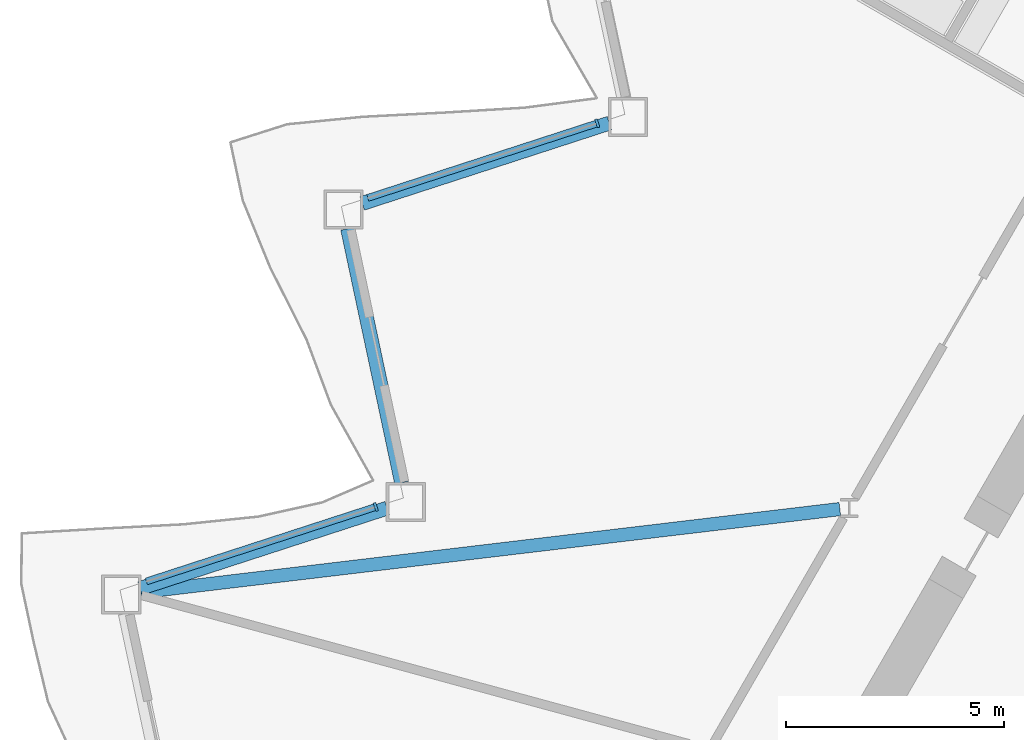
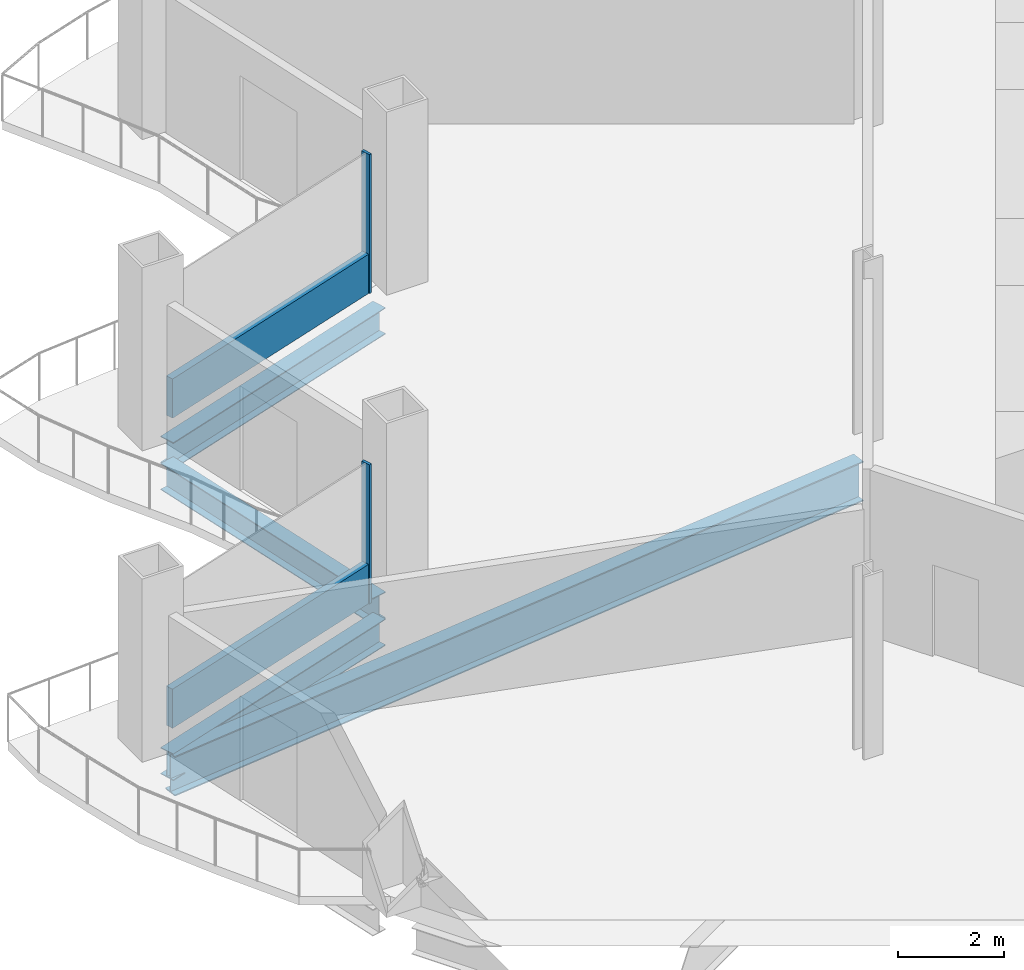
# One storey, part 4 of 21: 4 beams, 4 members, 2 elements without a shape of their own.
"""IFC4 building model written with IfcOpenShell, lengths in metres."""

import ifcopenshell
import ifcopenshell.guid

model = None  # the IFC model being written
_history = None  # IfcOwnerHistory: only IFC2X3 demands one
_inside = {}  # id of a spatial element -> (the spatial element, [elements in it])
_under = {}  # id of a project, library or spatial element -> (it, [spatial elements below it])
_declared = {}  # id of a project -> (the project, [libraries it declares])
_typed = {}  # id of a type object -> (the type object, [elements of that type])
_made_of = {}  # id of a material, layer set ... -> (it, [elements and type objects made of it])


def new_model(schema):
    """Start an empty IFC model of exactly this schema.

    Asked for "IFC4X3", IfcOpenShell would pick the latest addendum, in which some entities
    have other attributes; the version numbers below select the first issue.
    IFC2X3 requires an IfcOwnerHistory on every rooted entity: one is made here for all.
    """
    global model, _history
    if schema == "IFC4X3":
        model = ifcopenshell.file(schema_version=(4, 3, 0, 0))
    else:
        model = ifcopenshell.file(schema=schema)
    _inside.clear()
    _under.clear()
    _declared.clear()
    _typed.clear()
    _made_of.clear()
    _history = None
    if model.schema == "IFC2X3":
        org = make("IfcOrganization", Name="unknown")
        user = make(
            "IfcPersonAndOrganization",
            ThePerson=make("IfcPerson", FamilyName="unknown"),
            TheOrganization=org,
        )
        app = make(
            "IfcApplication",
            ApplicationDeveloper=org,
            Version="unknown",
            ApplicationFullName="unknown",
            ApplicationIdentifier="unknown",
        )
        _history = make(
            "IfcOwnerHistory",
            OwningUser=user,
            OwningApplication=app,
            ChangeAction="ADDED",
            CreationDate=0,
        )
    return model


def make(cls, **values):
    """One entity of the class cls with the attributes given. An attribute that is None is left unset."""
    return model.create_entity(
        cls, **{name: value for name, value in values.items() if value is not None}
    )


def rooted(cls, **values):
    """An entity with a GlobalId (a new one), such as an element, a storey or a relation."""
    return make(cls, GlobalId=ifcopenshell.guid.new(), OwnerHistory=_history, **values)


def si_unit(unit_type, name, prefix=None):
    """IfcSIUnit, for example si_unit("LENGTHUNIT", "METRE", prefix="MILLI")."""
    return make("IfcSIUnit", UnitType=unit_type, Prefix=prefix, Name=name)


def assignment(units):
    """IfcUnitAssignment: the units of a project."""
    return None if units is None else make("IfcUnitAssignment", Units=units)


def point(xyz):
    """IfcCartesianPoint."""
    return None if xyz is None else make("IfcCartesianPoint", Coordinates=xyz)


def direction(xyz):
    """IfcDirection."""
    return None if xyz is None else make("IfcDirection", DirectionRatios=xyz)


def frame(location, z_axis=None, x_axis=None):
    """IfcAxis2Placement3D, a coordinate frame: its origin and axes. An axis left out is left unset."""
    return make(
        "IfcAxis2Placement3D",
        Location=point(location),
        Axis=direction(z_axis),
        RefDirection=direction(x_axis),
    )


def frame_2d(location, x_axis=None):
    """IfcAxis2Placement2D, a coordinate frame in the plane: its origin and x axis."""
    return make(
        "IfcAxis2Placement2D", Location=point(location), RefDirection=direction(x_axis)
    )


def origin():
    """The frame at (0, 0, 0) with its axes left unset."""
    return frame((0.0, 0.0, 0.0))


def origin_2d():
    """The frame at (0, 0) in the plane with its x axis left unset."""
    return frame_2d((0.0, 0.0))


def place(relative_to, where):
    """IfcLocalPlacement: puts the frame where relative to a parent placement (None: the world)."""
    return make(
        "IfcLocalPlacement", PlacementRelTo=relative_to, RelativePlacement=where
    )


def context(
    kind, dimensions, precision=None, world=None, true_north=None, identifier=None
):
    """IfcGeometricRepresentationContext, for example the 3D "Model" context."""
    return make(
        "IfcGeometricRepresentationContext",
        ContextIdentifier=identifier,
        ContextType=kind,
        CoordinateSpaceDimension=dimensions,
        Precision=precision,
        WorldCoordinateSystem=world,
        TrueNorth=true_north,
    )


def subcontext(parent, identifier, kind, view, scale=None):
    """IfcGeometricRepresentationSubContext, for example "Body" below "Model"."""
    return make(
        "IfcGeometricRepresentationSubContext",
        ContextIdentifier=identifier,
        ContextType=kind,
        ParentContext=parent,
        TargetScale=scale,
        TargetView=view,
    )


def project(units=None, contexts=None):
    """IfcProject with its units and contexts."""
    return rooted(
        "IfcProject",
        Name="project",
        RepresentationContexts=contexts,
        UnitsInContext=assignment(units),
    )


def spatial(cls, under=None, at=None, **own):
    """A site, building, storey or space (cls), placed at a placement, below another one or the project."""
    s = rooted(cls, ObjectPlacement=at, **own)
    if under is not None:
        _under.setdefault(under.id(), (under, []))[1].append(s)
    return s


def profile(cls, at=None, kind="AREA", **sizes):
    """A parametric profile (cls). Its sizes go by their IFC names, for example OverallWidth=200.0."""
    return make(cls, ProfileType=kind, Position=at, **sizes)


def rectangle(**sizes):
    """IfcRectangleProfileDef."""
    return profile("IfcRectangleProfileDef", **sizes)


def i_section(**sizes):
    """IfcIShapeProfileDef."""
    return profile("IfcIShapeProfileDef", **sizes)


def extrude(swept, where, along, depth):
    """IfcExtrudedAreaSolid: the profile swept, set in the frame where, extruded along a direction by depth."""
    return make(
        "IfcExtrudedAreaSolid",
        SweptArea=swept,
        Position=where,
        ExtrudedDirection=direction(along),
        Depth=depth,
    )


def shape(context_of_items, identifier, shape_type, items):
    """IfcShapeRepresentation: the items that make up one representation, for example the "Body"."""
    return make(
        "IfcShapeRepresentation",
        ContextOfItems=context_of_items,
        RepresentationIdentifier=identifier,
        RepresentationType=shape_type,
        Items=items,
    )


def material(Name=None, Category=None):
    """IfcMaterial."""
    return make("IfcMaterial", Name=Name, Category=Category)


def layer(
    of_material, thickness, ventilated=None, Name=None, Category=None, Priority=None
):
    """IfcMaterialLayer: one layer of a wall or slab, of a material (None: an air gap)."""
    return make(
        "IfcMaterialLayer",
        Material=of_material,
        LayerThickness=thickness,
        IsVentilated=ventilated,
        Name=Name,
        Category=Category,
        Priority=Priority,
    )


def layer_set(layers, Name=None):
    """IfcMaterialLayerSet."""
    return make("IfcMaterialLayerSet", MaterialLayers=layers, LayerSetName=Name)


def material_profile(
    of_material, cross_section, Name=None, Category=None, Priority=None
):
    """IfcMaterialProfile: a cross section and its material."""
    return make(
        "IfcMaterialProfile",
        Name=Name,
        Material=of_material,
        Profile=cross_section,
        Priority=Priority,
        Category=Category,
    )


def profile_set(profiles, Name=None, composite=None):
    """IfcMaterialProfileSet."""
    return make(
        "IfcMaterialProfileSet",
        Name=Name,
        MaterialProfiles=profiles,
        CompositeProfile=composite,
    )


def made_of(thing, what):
    """Note that an element or type object is made of a material, layer set ...; save() writes the relation."""
    if what is not None:
        _made_of.setdefault(what.id(), (what, []))[1].append(thing)
    return thing


def type_object(cls, material=None, **own):
    """A type object (cls), such as IfcWallType, which elements share."""
    return made_of(rooted(cls, **own), material)


def element(
    cls,
    number,
    at=None,
    inside=None,
    cuts=None,
    type_object=None,
    material=None,
    context=None,
    identifier="Body",
    shape_type=None,
    held_by="IfcProductDefinitionShape",
    body=None,
    shapes=None,
    **own,
):
    """One element of the class cls, such as IfcWall. Its Tag is "e" and its number.

    at: its placement. inside: the storey or other place that contains it. cuts: it is an
    opening in that element (IfcRelVoidsElement). A single representation is given by context,
    identifier, shape_type and body (its items); several are given by shapes. held_by: the class
    of the entity that holds the representations. save() writes the other relations.
    """
    e = rooted(cls, Tag="e%d" % number, ObjectPlacement=at, **own)
    if body is not None:
        shapes = [shape(context, identifier, shape_type, body)]
    if shapes is not None:
        e.Representation = make(held_by, Representations=shapes)
    if inside is not None:
        _inside.setdefault(inside.id(), (inside, []))[1].append(e)
    if cuts is not None:
        rooted(
            "IfcRelVoidsElement", RelatingBuildingElement=cuts, RelatedOpeningElement=e
        )
    if type_object is not None:
        _typed.setdefault(type_object.id(), (type_object, []))[1].append(e)
    return made_of(e, material)


def aggregate(whole, parts):
    """IfcRelAggregates: a whole, such as a stair, and the parts it consists of."""
    return rooted("IfcRelAggregates", RelatingObject=whole, RelatedObjects=parts)


def save(model, path):
    """Write the relations noted so far, then the file.

    IfcRelAggregates (storeys below a building ...), IfcRelContainedInSpatialStructure (elements
    in a storey), IfcRelDefinesByType, IfcRelAssociatesMaterial and IfcRelDeclares: one each for
    every whole, place, type object, material and project.
    """
    for whole, parts in _under.values():
        aggregate(whole, parts)
    for where, things in _inside.values():
        rooted(
            "IfcRelContainedInSpatialStructure",
            RelatedElements=things,
            RelatingStructure=where,
        )
    for kind, things in _typed.values():
        rooted("IfcRelDefinesByType", RelatedObjects=things, RelatingType=kind)
    for what, things in _made_of.values():
        rooted("IfcRelAssociatesMaterial", RelatedObjects=things, RelatingMaterial=what)
    for by, libraries in _declared.values():
        rooted("IfcRelDeclares", RelatingContext=by, RelatedDefinitions=libraries)
    model.write(path)


model = new_model("IFC4")

# Units and contexts
model_context = context("Model", 3, precision=1e-05, world=origin(), true_north=direction((0.0, 1.0)))
body_context = subcontext(model_context, "Body", "Model", "MODEL_VIEW")
ifc_project = project(units=[si_unit("LENGTHUNIT", "METRE"), si_unit("AREAUNIT", "SQUARE_METRE"), si_unit("VOLUMEUNIT", "CUBIC_METRE"), si_unit("PLANEANGLEUNIT", "RADIAN"), si_unit("MASSUNIT", "GRAM", prefix="KILO")], contexts=[model_context])

# Site, building, storey
site_placement = place(None, origin())
site = spatial("IfcSite", under=ifc_project, at=site_placement, CompositionType="ELEMENT")
building_placement = place(site_placement, origin())
building = spatial("IfcBuilding", under=site, at=building_placement, Name="Cormorant Prow Tower", CompositionType="ELEMENT")
storey_placement = place(building_placement, frame((0.0, 0.0, 145.800048828125)))
storey = spatial("IfcBuildingStorey", under=building, at=storey_placement, Name="L31", CompositionType="ELEMENT", Elevation=145.800048828125)

# Curtain wall, member
ifc_material_1 = material(Name="Aluminium 6063-T6", Category="aluminium")
ifc_layer = layer(ifc_material_1, 0.199951171875)
ifc_layer_set = layer_set([ifc_layer], Name="Aluminium 6063-T6")
curtain_wall_type = type_object("IfcCurtainWallType", Name="Office unitised curtain wall 200", PredefinedType="NOTDEFINED", material=ifc_layer_set)
curtain_wall_1_placement = place(storey_placement, origin())
curtain_wall_1 = element("IfcCurtainWall", 1, at=curtain_wall_1_placement, inside=storey, type_object=curtain_wall_type, Name="Office curtain wall WNW06", PredefinedType="NOTDEFINED")
ifc_material_2 = material(Name="Aluminium 6063-T6", Category="aluminium")
ifc_material_profile_1 = material_profile(ifc_material_2, rectangle(XDim=0.199951171875, YDim=0.06005859375, at=origin_2d()), Name="Office mullion 60x200")
ifc_profile_set_1 = profile_set([ifc_material_profile_1], Name="Aluminium 6063-T6")
member_type_1 = type_object("IfcMemberType", Name="Office mullion 60x200", PredefinedType="MULLION", material=ifc_profile_set_1)
member_1_placement = place(storey_placement, frame((-21.275390625, 5.844482421875, 0.0), z_axis=(0.0, 0.0, 1.0), x_axis=(0.309016967385, -0.951056525065, 0.0)))
member_1 = element("IfcMember", 2, at=member_1_placement, type_object=member_type_1, Name="Office mullion WNW06", PredefinedType="MULLION", context=body_context, shape_type="SweptSolid", body=[
    extrude(rectangle(XDim=0.199951171875, YDim=0.06005859375, at=origin_2d()), origin(), (0.0, 0.0, 1.0), 3.18896484375),
])

curtain_wall_2_placement = place(storey_placement, origin())
curtain_wall_2 = element("IfcCurtainWall", 3, at=curtain_wall_2_placement, inside=storey, type_object=curtain_wall_type, Name="Office curtain wall WNW08", PredefinedType="NOTDEFINED")
member_2_placement = place(storey_placement, frame((-26.35693359375, -2.956787109375, 0.0), z_axis=(0.0, 0.0, 1.0), x_axis=(0.309016967385, -0.951056525065, 0.0)))
member_2 = element("IfcMember", 4, at=member_2_placement, type_object=member_type_1, Name="Office mullion WNW08", PredefinedType="MULLION", context=body_context, shape_type="SweptSolid", body=[
    extrude(rectangle(XDim=0.199951171875, YDim=0.06005859375, at=origin_2d()), origin(), (0.0, 0.0, 1.0), 3.18896484375),
])

# Member
ifc_material_3 = material(Name="Terracotta", Category="masonry")
ifc_material_profile_2 = material_profile(ifc_material_3, rectangle(XDim=0.159912109375, YDim=0.89990234375, at=origin_2d()), Name="Office terracotta spandrel rail 160x900")
ifc_profile_set_2 = profile_set([ifc_material_profile_2], Name="Terracotta")
member_type_2 = type_object("IfcMemberType", Name="Office terracotta spandrel rail 160x900", PredefinedType="USERDEFINED", material=ifc_profile_set_2)
member_3_placement = place(storey_placement, frame((-21.303955078125, 5.835205078125, 0.449951171875), z_axis=(-0.951054921763, -0.309021901798, 0.0), x_axis=(0.309021901798, -0.951054921763, 0.0)))
member_3 = element("IfcMember", 5, at=member_3_placement, type_object=member_type_2, Name="Office spandrel rail WNW06", ObjectType="TRANSOM", PredefinedType="USERDEFINED", context=body_context, shape_type="SweptSolid", body=[
    extrude(rectangle(XDim=0.159912109375, YDim=0.89990234375, at=origin_2d()), origin(), (0.0, 0.0, 1.0), 5.505859375),
])

aggregate(curtain_wall_1, [member_1, member_3])

member_4_placement = place(storey_placement, frame((-26.385498046875, -2.966064453125, 0.449951171875), z_axis=(-0.951054921763, -0.309021901798, 0.0), x_axis=(0.309021901798, -0.951054921763, 0.0)))
member_4 = element("IfcMember", 6, at=member_4_placement, type_object=member_type_2, Name="Office spandrel rail WNW08", ObjectType="TRANSOM", PredefinedType="USERDEFINED", context=body_context, shape_type="SweptSolid", body=[
    extrude(rectangle(XDim=0.159912109375, YDim=0.89990234375, at=origin_2d()), origin(), (0.0, 0.0, 1.0), 5.505859375),
])

aggregate(curtain_wall_2, [member_2, member_4])

# Beams
ifc_material_4 = material(Name="Structural steel ASTM A992 Gr 50", Category="steel")
ifc_material_profile_3 = material_profile(ifc_material_4, i_section(OverallWidth=0.3046875, OverallDepth=0.914794921875, WebThickness=0.0166015625, FlangeThickness=0.02587890625, at=origin_2d()), Name="W36x160")
ifc_profile_set_3 = profile_set([ifc_material_profile_3], Name="Structural steel ASTM A992 Gr 50")
beam_type_1 = type_object("IfcBeamType", Name="Radial floor beam W36x160", PredefinedType="BEAM", material=ifc_profile_set_3)
beam_1_placement = place(storey_placement, frame((-15.70849609375, -3.00732421875, -0.857421875), z_axis=(-0.993009167646, -0.118037252474, 0.0), x_axis=(0.118037252474, -0.993009167646, 0.0)))
element("IfcBeam", 7, at=beam_1_placement, inside=storey, type_object=beam_type_1, Name="Radial floor beam FB1 4 L31", PredefinedType="BEAM", context=body_context, shape_type="SweptSolid", body=[
    extrude(i_section(OverallWidth=0.3046875, OverallDepth=0.914794921875, WebThickness=0.0166015625, FlangeThickness=0.02587890625, at=origin_2d()), origin(), (0.0, 0.0, 1.0), 16.15380859375),
])
ifc_material_5 = material(Name="Structural steel ASTM A992 Gr 50", Category="steel")
ifc_material_profile_4 = material_profile(ifc_material_5, i_section(OverallWidth=0.32373046875, OverallDepth=0.611083984375, WebThickness=0.0126953125, FlangeThickness=0.01904296875, at=origin_2d()), Name="W24x104")
ifc_profile_set_4 = profile_set([ifc_material_profile_4], Name="Structural steel ASTM A992 Gr 50")
beam_type_2 = type_object("IfcBeamType", Name="Spandrel beam W24x104", PredefinedType="SPANDREL", material=ifc_profile_set_4)
beam_2_placement = place(storey_placement, frame((-20.99755859375, 5.847900390625, -0.70556640625), z_axis=(-0.951055430656, -0.309020335608, 0.0), x_axis=(0.309020335608, -0.951055430656, 0.0)))
element("IfcBeam", 8, at=beam_2_placement, inside=storey, type_object=beam_type_2, Name="Spandrel beam SB1 WNW06-WNW07 L31", PredefinedType="SPANDREL", context=body_context, shape_type="SweptSolid", body=[
    extrude(i_section(OverallWidth=0.32373046875, OverallDepth=0.611083984375, WebThickness=0.0126953125, FlangeThickness=0.01904296875, at=origin_2d()), origin(), (0.0, 0.0, 1.0), 5.96240234375),
])
for number, where, z_axis, x_axis, name in (
    (9, (-27.002685546875, 3.426025390625, -0.70556640625), (0.207920947907, -0.978145633033, 0.0), (0.978145633033, 0.207920947907, 0.0), "Spandrel beam SB1 WNW07-WNW08 L31"),
    (10, (-26.097412109375, -2.985595703125, -0.70556640625), (-0.951059340519, -0.309008302174, 0.0), (0.309008302174, -0.951059340519, 0.0), "Spandrel beam SB1 WNW08-WNW09 L31"),
):
    element("IfcBeam", number, at=place(storey_placement, frame(where, z_axis=z_axis, x_axis=x_axis)), inside=storey, type_object=beam_type_2, Name=name, PredefinedType="SPANDREL", context=body_context, shape_type="SweptSolid", body=[
        extrude(i_section(OverallWidth=0.32373046875, OverallDepth=0.611083984375, WebThickness=0.0126953125, FlangeThickness=0.01904296875, at=origin_2d()), origin(), (0.0, 0.0, 1.0), 5.962646484375),
    ])

save(model, "model.ifc")
